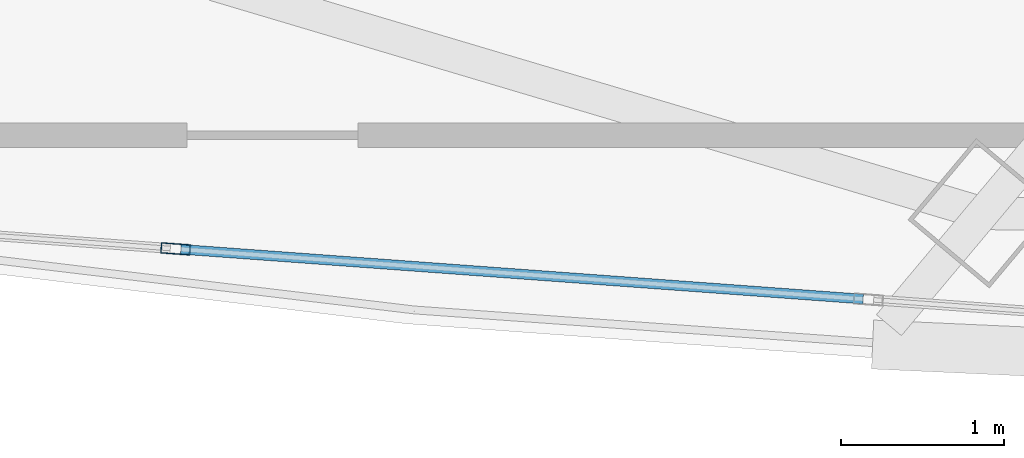
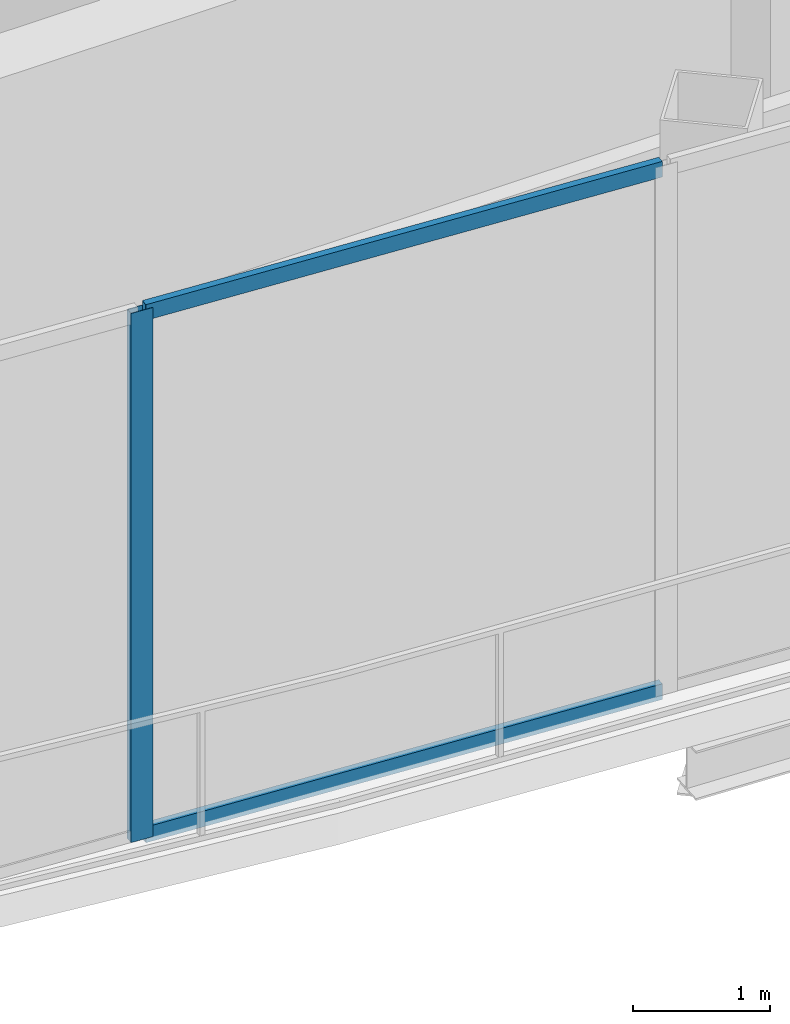
# One storey, part 5 of 32: 3 members, 1 element without a shape of its own.
"""IFC4 building model written with IfcOpenShell, lengths in metres."""

from ifc_helpers import new_model, si_unit, direction, frame, origin, origin_2d, place, context, subcontext, project, spatial, hollow_rectangle, extrude, source, transform, mapped, material, layer, layer_set, material_profile, profile_set, type_object, element, aggregate, save


model = new_model("IFC4")

# Units and contexts
model_context = context("Model", 3, precision=1e-05, world=origin(), true_north=direction((0.0, 1.0)))
body_context = subcontext(model_context, "Body", "Model", "MODEL_VIEW")
ifc_project = project(units=[si_unit("LENGTHUNIT", "METRE"), si_unit("AREAUNIT", "SQUARE_METRE"), si_unit("VOLUMEUNIT", "CUBIC_METRE"), si_unit("PLANEANGLEUNIT", "RADIAN"), si_unit("MASSUNIT", "GRAM", prefix="KILO"), si_unit("THERMODYNAMICTEMPERATUREUNIT", "KELVIN"), si_unit("POWERUNIT", "WATT")], contexts=[model_context])

# Site, building, storey
site_placement = place(None, origin())
site = spatial("IfcSite", under=ifc_project, at=site_placement, CompositionType="ELEMENT")
building_placement = place(site_placement, origin())
building = spatial("IfcBuilding", under=site, at=building_placement, Name="Yunzhuo Pagoda Commons", CompositionType="ELEMENT")
storey_placement = place(building_placement, frame((0.0, 0.0, 396.760009765625)))
storey = spatial("IfcBuildingStorey", under=building, at=storey_placement, Name="L98", CompositionType="ELEMENT", Elevation=396.760009765625)

# Curtain wall, members
ifc_material = material(Name="Anodized aluminium 6063-T6", Category="aluminium")
ifc_layer = layer(ifc_material, 0.179931640625)
ifc_layer_set = layer_set([ifc_layer], Name="Anodized aluminium 6063-T6")
curtain_wall_type = type_object("IfcCurtainWallType", Name="CW-CRN Crown Gable Glazing System", PredefinedType="NOTDEFINED", material=ifc_layer_set)
curtain_wall_placement = place(storey_placement, origin())
curtain_wall = element("IfcCurtainWall", 1, at=curtain_wall_placement, inside=storey, type_object=curtain_wall_type, Name="L98 curtain wall CW-L98-CRNF1G1", PredefinedType="NOTDEFINED")
ifc_material_profile_1 = material_profile(ifc_material, hollow_rectangle(XDim=0.06494140625, YDim=0.179931640625, WallThickness=0.00390625, at=origin_2d()), Name="Anodized aluminium 6063-T6")
ifc_profile_set_1 = profile_set([ifc_material_profile_1], Name="Anodized aluminium 6063-T6")
member_type_1 = type_object("IfcMemberType", Name="CW-CRN-M Mullion RHS 180x65x4", PredefinedType="MULLION", material=ifc_profile_set_1)
shared_shape_1 = source(origin(), body_context, "Body", "SweptSolid", [
    extrude(hollow_rectangle(XDim=0.06494140625, YDim=0.179931640625, WallThickness=0.00390625, at=origin_2d()), origin(), (0.0, 0.0, 1.0), 4.72021484375),
])
member_1_placement = place(storey_placement, frame((35.267333984375, 24.20361328125, 0.0), z_axis=(0.0, 0.0, 1.0), x_axis=(0.072795570763, 0.997346882924, 0.0)))
member_1 = element("IfcMember", 2, at=member_1_placement, type_object=member_type_1, Name="CW mullion 2", PredefinedType="MULLION", context=body_context, shape_type="MappedRepresentation", body=[
    mapped(shared_shape_1, transform((0.0, 0.0, 0.0), scale=1.0)),
])
ifc_material_profile_2 = material_profile(ifc_material, hollow_rectangle(XDim=0.06005859375, YDim=0.139892578125, WallThickness=0.00341796875, at=origin_2d()), Name="Anodized aluminium 6063-T6")
ifc_profile_set_2 = profile_set([ifc_material_profile_2], Name="Anodized aluminium 6063-T6")
member_type_2 = type_object("IfcMemberType", Name="CW-CRN-T Transom RHS 140x60x3.5", PredefinedType="USERDEFINED", material=ifc_profile_set_2)
shared_shape_2 = source(origin(), body_context, "Body", "SweptSolid", [
    extrude(hollow_rectangle(XDim=0.06005859375, YDim=0.139892578125, WallThickness=0.00341796875, at=origin_2d()), origin(), (0.0, 0.0, 1.0), 4.1923828125),
])
member_2_placement = place(storey_placement, frame((35.2998046875, 24.201171875, 0.030029296875), z_axis=(0.997346939481, -0.072794795886, 0.0), x_axis=(0.072794795886, 0.997346939481, 0.0)))
member_2 = element("IfcMember", 3, at=member_2_placement, type_object=member_type_2, Name="CW transom 2.1", ObjectType="TRANSOM", PredefinedType="USERDEFINED", context=body_context, shape_type="MappedRepresentation", body=[
    mapped(shared_shape_2, transform((0.0, 0.0, 0.0), scale=1.0)),
])
member_3_placement = place(storey_placement, frame((35.2998046875, 24.201171875, 4.68994140625), z_axis=(0.997346939481, -0.072794795886, 0.0), x_axis=(0.072794795886, 0.997346939481, 0.0)))
member_3 = element("IfcMember", 4, at=member_3_placement, type_object=member_type_2, Name="CW transom 2.2", ObjectType="TRANSOM", PredefinedType="USERDEFINED", context=body_context, shape_type="MappedRepresentation", body=[
    mapped(shared_shape_2, transform((0.0, 0.0, 0.0), scale=1.0)),
])
aggregate(curtain_wall, [member_1, member_2, member_3])

save(model, "model.ifc")
